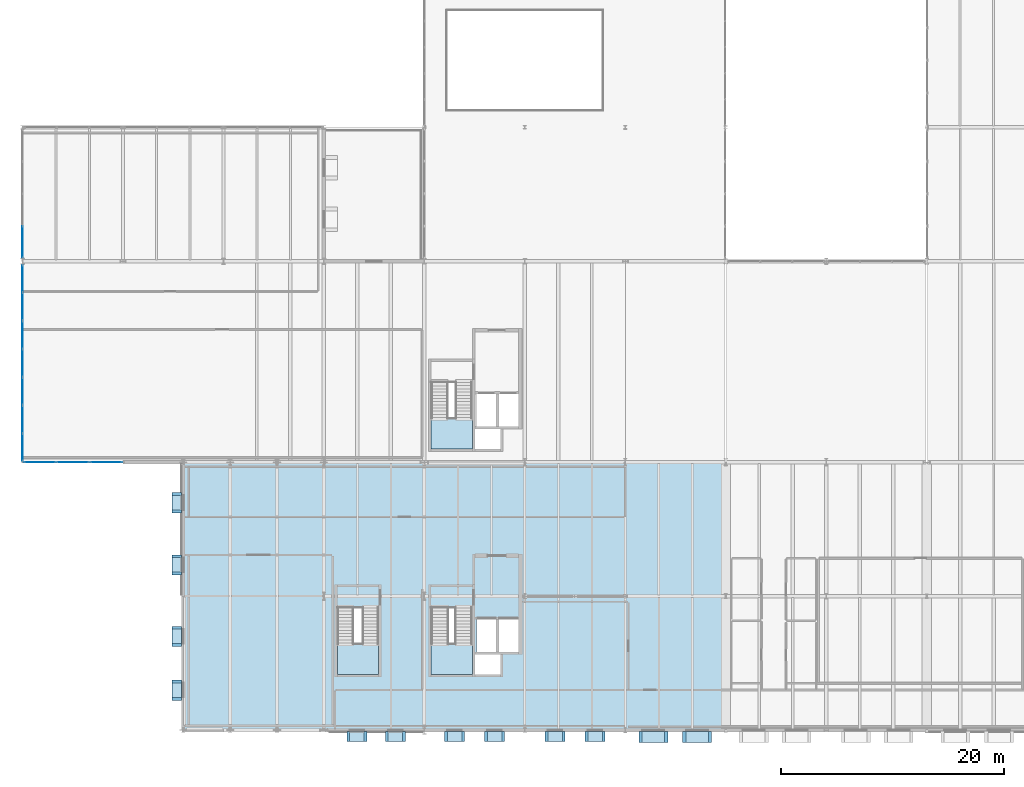
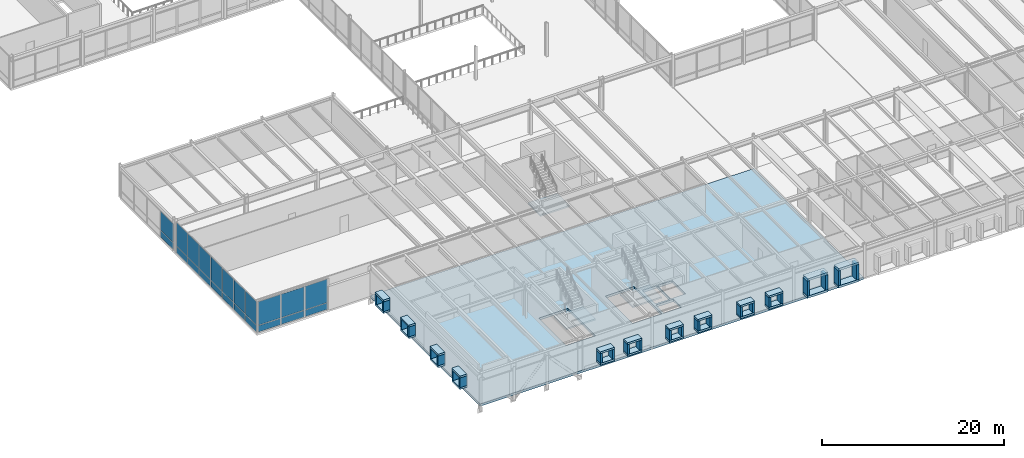
# One storey, part 89 of 115: 70 plates, 4 slabs, 6 elements without a shape of their own.
"""IFC4 building model written with IfcOpenShell, lengths in metres."""

import ifcopenshell
import ifcopenshell.guid

model = None  # the IFC model being written
_history = None  # IfcOwnerHistory: only IFC2X3 demands one
_inside = {}  # id of a spatial element -> (the spatial element, [elements in it])
_under = {}  # id of a project, library or spatial element -> (it, [spatial elements below it])
_declared = {}  # id of a project -> (the project, [libraries it declares])
_typed = {}  # id of a type object -> (the type object, [elements of that type])
_made_of = {}  # id of a material, layer set ... -> (it, [elements and type objects made of it])


def new_model(schema):
    """Start an empty IFC model of exactly this schema.

    Asked for "IFC4X3", IfcOpenShell would pick the latest addendum, in which some entities
    have other attributes; the version numbers below select the first issue.
    IFC2X3 requires an IfcOwnerHistory on every rooted entity: one is made here for all.
    """
    global model, _history
    if schema == "IFC4X3":
        model = ifcopenshell.file(schema_version=(4, 3, 0, 0))
    else:
        model = ifcopenshell.file(schema=schema)
    _inside.clear()
    _under.clear()
    _declared.clear()
    _typed.clear()
    _made_of.clear()
    _history = None
    if model.schema == "IFC2X3":
        org = make("IfcOrganization", Name="unknown")
        user = make(
            "IfcPersonAndOrganization",
            ThePerson=make("IfcPerson", FamilyName="unknown"),
            TheOrganization=org,
        )
        app = make(
            "IfcApplication",
            ApplicationDeveloper=org,
            Version="unknown",
            ApplicationFullName="unknown",
            ApplicationIdentifier="unknown",
        )
        _history = make(
            "IfcOwnerHistory",
            OwningUser=user,
            OwningApplication=app,
            ChangeAction="ADDED",
            CreationDate=0,
        )
    return model


def make(cls, **values):
    """One entity of the class cls with the attributes given. An attribute that is None is left unset."""
    return model.create_entity(
        cls, **{name: value for name, value in values.items() if value is not None}
    )


def rooted(cls, **values):
    """An entity with a GlobalId (a new one), such as an element, a storey or a relation."""
    return make(cls, GlobalId=ifcopenshell.guid.new(), OwnerHistory=_history, **values)


def si_unit(unit_type, name, prefix=None):
    """IfcSIUnit, for example si_unit("LENGTHUNIT", "METRE", prefix="MILLI")."""
    return make("IfcSIUnit", UnitType=unit_type, Prefix=prefix, Name=name)


def assignment(units):
    """IfcUnitAssignment: the units of a project."""
    return None if units is None else make("IfcUnitAssignment", Units=units)


def point(xyz):
    """IfcCartesianPoint."""
    return None if xyz is None else make("IfcCartesianPoint", Coordinates=xyz)


def direction(xyz):
    """IfcDirection."""
    return None if xyz is None else make("IfcDirection", DirectionRatios=xyz)


def frame(location, z_axis=None, x_axis=None):
    """IfcAxis2Placement3D, a coordinate frame: its origin and axes. An axis left out is left unset."""
    return make(
        "IfcAxis2Placement3D",
        Location=point(location),
        Axis=direction(z_axis),
        RefDirection=direction(x_axis),
    )


def frame_2d(location, x_axis=None):
    """IfcAxis2Placement2D, a coordinate frame in the plane: its origin and x axis."""
    return make(
        "IfcAxis2Placement2D", Location=point(location), RefDirection=direction(x_axis)
    )


def origin():
    """The frame at (0, 0, 0) with its axes left unset."""
    return frame((0.0, 0.0, 0.0))


def origin_2d():
    """The frame at (0, 0) in the plane with its x axis left unset."""
    return frame_2d((0.0, 0.0))


def place(relative_to, where):
    """IfcLocalPlacement: puts the frame where relative to a parent placement (None: the world)."""
    return make(
        "IfcLocalPlacement", PlacementRelTo=relative_to, RelativePlacement=where
    )


def context(
    kind, dimensions, precision=None, world=None, true_north=None, identifier=None
):
    """IfcGeometricRepresentationContext, for example the 3D "Model" context."""
    return make(
        "IfcGeometricRepresentationContext",
        ContextIdentifier=identifier,
        ContextType=kind,
        CoordinateSpaceDimension=dimensions,
        Precision=precision,
        WorldCoordinateSystem=world,
        TrueNorth=true_north,
    )


def subcontext(parent, identifier, kind, view, scale=None):
    """IfcGeometricRepresentationSubContext, for example "Body" below "Model"."""
    return make(
        "IfcGeometricRepresentationSubContext",
        ContextIdentifier=identifier,
        ContextType=kind,
        ParentContext=parent,
        TargetScale=scale,
        TargetView=view,
    )


def project(units=None, contexts=None):
    """IfcProject with its units and contexts."""
    return rooted(
        "IfcProject",
        Name="project",
        RepresentationContexts=contexts,
        UnitsInContext=assignment(units),
    )


def spatial(cls, under=None, at=None, **own):
    """A site, building, storey or space (cls), placed at a placement, below another one or the project."""
    s = rooted(cls, ObjectPlacement=at, **own)
    if under is not None:
        _under.setdefault(under.id(), (under, []))[1].append(s)
    return s


def polyline(points):
    """IfcPolyline through the points."""
    return make("IfcPolyline", Points=[point(p) for p in points])


def profile(cls, at=None, kind="AREA", **sizes):
    """A parametric profile (cls). Its sizes go by their IFC names, for example OverallWidth=200.0."""
    return make(cls, ProfileType=kind, Position=at, **sizes)


def rectangle(**sizes):
    """IfcRectangleProfileDef."""
    return profile("IfcRectangleProfileDef", **sizes)


def outline(outer, holes=None, kind="AREA"):
    """IfcArbitraryClosedProfileDef: a profile drawn as a closed curve; with holes, ...WithVoids."""
    if holes is None:
        return make("IfcArbitraryClosedProfileDef", ProfileType=kind, OuterCurve=outer)
    return make(
        "IfcArbitraryProfileDefWithVoids",
        ProfileType=kind,
        OuterCurve=outer,
        InnerCurves=holes,
    )


def extrude(swept, where, along, depth):
    """IfcExtrudedAreaSolid: the profile swept, set in the frame where, extruded along a direction by depth."""
    return make(
        "IfcExtrudedAreaSolid",
        SweptArea=swept,
        Position=where,
        ExtrudedDirection=direction(along),
        Depth=depth,
    )


def shape(context_of_items, identifier, shape_type, items):
    """IfcShapeRepresentation: the items that make up one representation, for example the "Body"."""
    return make(
        "IfcShapeRepresentation",
        ContextOfItems=context_of_items,
        RepresentationIdentifier=identifier,
        RepresentationType=shape_type,
        Items=items,
    )


def material(Name=None, Category=None):
    """IfcMaterial."""
    return make("IfcMaterial", Name=Name, Category=Category)


def layer(
    of_material, thickness, ventilated=None, Name=None, Category=None, Priority=None
):
    """IfcMaterialLayer: one layer of a wall or slab, of a material (None: an air gap)."""
    return make(
        "IfcMaterialLayer",
        Material=of_material,
        LayerThickness=thickness,
        IsVentilated=ventilated,
        Name=Name,
        Category=Category,
        Priority=Priority,
    )


def layer_set(layers, Name=None):
    """IfcMaterialLayerSet."""
    return make("IfcMaterialLayerSet", MaterialLayers=layers, LayerSetName=Name)


def made_of(thing, what):
    """Note that an element or type object is made of a material, layer set ...; save() writes the relation."""
    if what is not None:
        _made_of.setdefault(what.id(), (what, []))[1].append(thing)
    return thing


def type_object(cls, material=None, **own):
    """A type object (cls), such as IfcWallType, which elements share."""
    return made_of(rooted(cls, **own), material)


def element(
    cls,
    number,
    at=None,
    inside=None,
    cuts=None,
    type_object=None,
    material=None,
    context=None,
    identifier="Body",
    shape_type=None,
    held_by="IfcProductDefinitionShape",
    body=None,
    shapes=None,
    **own,
):
    """One element of the class cls, such as IfcWall. Its Tag is "e" and its number.

    at: its placement. inside: the storey or other place that contains it. cuts: it is an
    opening in that element (IfcRelVoidsElement). A single representation is given by context,
    identifier, shape_type and body (its items); several are given by shapes. held_by: the class
    of the entity that holds the representations. save() writes the other relations.
    """
    e = rooted(cls, Tag="e%d" % number, ObjectPlacement=at, **own)
    if body is not None:
        shapes = [shape(context, identifier, shape_type, body)]
    if shapes is not None:
        e.Representation = make(held_by, Representations=shapes)
    if inside is not None:
        _inside.setdefault(inside.id(), (inside, []))[1].append(e)
    if cuts is not None:
        rooted(
            "IfcRelVoidsElement", RelatingBuildingElement=cuts, RelatedOpeningElement=e
        )
    if type_object is not None:
        _typed.setdefault(type_object.id(), (type_object, []))[1].append(e)
    return made_of(e, material)


def aggregate(whole, parts):
    """IfcRelAggregates: a whole, such as a stair, and the parts it consists of."""
    return rooted("IfcRelAggregates", RelatingObject=whole, RelatedObjects=parts)


def save(model, path):
    """Write the relations noted so far, then the file.

    IfcRelAggregates (storeys below a building ...), IfcRelContainedInSpatialStructure (elements
    in a storey), IfcRelDefinesByType, IfcRelAssociatesMaterial and IfcRelDeclares: one each for
    every whole, place, type object, material and project.
    """
    for whole, parts in _under.values():
        aggregate(whole, parts)
    for where, things in _inside.values():
        rooted(
            "IfcRelContainedInSpatialStructure",
            RelatedElements=things,
            RelatingStructure=where,
        )
    for kind, things in _typed.values():
        rooted("IfcRelDefinesByType", RelatedObjects=things, RelatingType=kind)
    for what, things in _made_of.values():
        rooted("IfcRelAssociatesMaterial", RelatedObjects=things, RelatingMaterial=what)
    for by, libraries in _declared.values():
        rooted("IfcRelDeclares", RelatingContext=by, RelatedDefinitions=libraries)
    model.write(path)


model = new_model("IFC4")

# Units and contexts
model_context = context("Model", 3, precision=1e-05, world=origin(), true_north=direction((0.0, 1.0)))
body_context = subcontext(model_context, "Body", "Model", "MODEL_VIEW")
ifc_project = project(units=[si_unit("LENGTHUNIT", "METRE"), si_unit("AREAUNIT", "SQUARE_METRE"), si_unit("VOLUMEUNIT", "CUBIC_METRE"), si_unit("PLANEANGLEUNIT", "RADIAN"), si_unit("MASSUNIT", "GRAM", prefix="KILO")], contexts=[model_context])

# Site, building, storey
site_placement = place(None, origin())
site = spatial("IfcSite", under=ifc_project, at=site_placement, CompositionType="ELEMENT")
building_placement = place(site_placement, origin())
building = spatial("IfcBuilding", under=site, at=building_placement, Name="Montelvaro Courts of Justice", CompositionType="ELEMENT")
storey_placement = place(building_placement, frame((0.0, 0.0, 9.89990234375)))
storey = spatial("IfcBuildingStorey", under=building, at=storey_placement, Name="L02", CompositionType="ELEMENT", Elevation=9.89990234375)

# Curtain wall, plates
ifc_material_1 = material(Name="Anodised aluminium EN AW-6063", Category="aluminium")
ifc_layer_1 = layer(ifc_material_1, 0.159912109375)
ifc_layer_set_1 = layer_set([ifc_layer_1], Name="Anodised aluminium EN AW-6063")
curtain_wall_type_1 = type_object("IfcCurtainWallType", Name="CurtainWall_28_896x418", PredefinedType="USERDEFINED", material=ifc_layer_set_1)
curtain_wall_1_placement = place(storey_placement, origin())
curtain_wall_1 = element("IfcCurtainWall", 1, at=curtain_wall_1_placement, inside=storey, type_object=curtain_wall_type_1, Name="Curtain Wall CW-28 (L02)", ObjectType="CURTAIN WALL", PredefinedType="USERDEFINED")
ifc_material_2 = material(Name="Low-E solar control double glazing", Category="glass")
ifc_layer_2 = layer(ifc_material_2, 0.028076171875)
ifc_layer_set_2 = layer_set([ifc_layer_2], Name="Low-E solar control double glazing")
plate_type_1 = type_object("IfcPlateType", Name="CurtainWall_Glazed_Panel_28", PredefinedType="CURTAIN_PANEL", material=ifc_layer_set_2)
plate_1_placement = place(storey_placement, frame((19.552001953125, 24.0, 0.06005859375), z_axis=(0.0, 0.0, 1.0), x_axis=(1.0, 0.0, 0.0)))
plate_1 = element("IfcPlate", 2, at=plate_1_placement, type_object=plate_type_1, Name="CW-28 panel 1.1", PredefinedType="CURTAIN_PANEL", context=body_context, shape_type="SweptSolid", body=[
    extrude(rectangle(XDim=2.874267578125, YDim=0.028076171875, at=origin_2d()), origin(), (0.0, 0.0, 1.0), 0.860107421875),
])
plate_2_placement = place(storey_placement, frame((19.552001953125, 24.0, 0.97998046875), z_axis=(0.0, 0.0, 1.0), x_axis=(1.0, 0.0, 0.0)))
plate_2 = element("IfcPlate", 3, at=plate_2_placement, type_object=plate_type_1, Name="CW-28 panel 1.2", PredefinedType="CURTAIN_PANEL", context=body_context, shape_type="SweptSolid", body=[
    extrude(rectangle(XDim=2.874267578125, YDim=0.028076171875, at=origin_2d()), origin(), (0.0, 0.0, 1.0), 3.139892578125),
])
plate_3_placement = place(storey_placement, frame((22.52001953125, 24.0, 0.06005859375), z_axis=(0.0, 0.0, 1.0), x_axis=(1.0, 0.0, 0.0)))
plate_3 = element("IfcPlate", 4, at=plate_3_placement, type_object=plate_type_1, Name="CW-28 panel 2.1", PredefinedType="CURTAIN_PANEL", context=body_context, shape_type="SweptSolid", body=[
    extrude(rectangle(XDim=2.91162109375, YDim=0.028076171875, at=origin_2d()), origin(), (0.0, 0.0, 1.0), 0.860107421875),
])
plate_4_placement = place(storey_placement, frame((22.52001953125, 24.0, 0.97998046875), z_axis=(0.0, 0.0, 1.0), x_axis=(1.0, 0.0, 0.0)))
plate_4 = element("IfcPlate", 5, at=plate_4_placement, type_object=plate_type_1, Name="CW-28 panel 2.2", PredefinedType="CURTAIN_PANEL", context=body_context, shape_type="SweptSolid", body=[
    extrude(rectangle(XDim=2.91162109375, YDim=0.028076171875, at=origin_2d()), origin(), (0.0, 0.0, 1.0), 3.139892578125),
])
plate_5_placement = place(storey_placement, frame((25.488037109375, 24.0, 0.06005859375), z_axis=(0.0, 0.0, 1.0), x_axis=(1.0, 0.0, 0.0)))
plate_5 = element("IfcPlate", 6, at=plate_5_placement, type_object=plate_type_1, Name="CW-28 panel 3.1", PredefinedType="CURTAIN_PANEL", context=body_context, shape_type="SweptSolid", body=[
    extrude(rectangle(XDim=2.874267578125, YDim=0.028076171875, at=origin_2d()), origin(), (0.0, 0.0, 1.0), 0.860107421875),
])
plate_6_placement = place(storey_placement, frame((25.488037109375, 24.0, 0.97998046875), z_axis=(0.0, 0.0, 1.0), x_axis=(1.0, 0.0, 0.0)))
plate_6 = element("IfcPlate", 7, at=plate_6_placement, type_object=plate_type_1, Name="CW-28 panel 3.2", PredefinedType="CURTAIN_PANEL", context=body_context, shape_type="SweptSolid", body=[
    extrude(rectangle(XDim=2.874267578125, YDim=0.028076171875, at=origin_2d()), origin(), (0.0, 0.0, 1.0), 3.139892578125),
])
aggregate(curtain_wall_1, [plate_1, plate_2, plate_3, plate_4, plate_5, plate_6])

ifc_layer_3 = layer(ifc_material_1, 0.159912109375)
ifc_layer_set_3 = layer_set([ifc_layer_3], Name="Anodised aluminium EN AW-6063")
curtain_wall_type_2 = type_object("IfcCurtainWallType", Name="CurtainWall_23_1154x418", PredefinedType="USERDEFINED", material=ifc_layer_set_3)
curtain_wall_2_placement = place(storey_placement, origin())
curtain_wall_2 = element("IfcCurtainWall", 8, at=curtain_wall_2_placement, inside=storey, type_object=curtain_wall_type_2, Name="Curtain Wall CW-23 (L02)", ObjectType="CURTAIN WALL", PredefinedType="USERDEFINED")
plate_7_placement = place(storey_placement, frame((18.0, 43.7275390625, 0.06005859375), z_axis=(0.0, 0.0, 1.0), x_axis=(0.0, -1.0, 0.0)))
plate_7 = element("IfcPlate", 9, at=plate_7_placement, type_object=plate_type_1, Name="CW-23 panel 4.1", PredefinedType="CURTAIN_PANEL", context=body_context, shape_type="SweptSolid", body=[
    extrude(rectangle(XDim=2.794921875, YDim=0.028076171875, at=origin_2d()), origin(), (0.0, 0.0, 1.0), 0.860107421875),
])
plate_8_placement = place(storey_placement, frame((18.0, 43.7275390625, 0.97998046875), z_axis=(0.0, 0.0, 1.0), x_axis=(0.0, -1.0, 0.0)))
plate_8 = element("IfcPlate", 10, at=plate_8_placement, type_object=plate_type_1, Name="CW-23 panel 4.2", PredefinedType="CURTAIN_PANEL", context=body_context, shape_type="SweptSolid", body=[
    extrude(rectangle(XDim=2.794921875, YDim=0.028076171875, at=origin_2d()), origin(), (0.0, 0.0, 1.0), 2.514892578125),
])
aggregate(curtain_wall_2, [plate_7, plate_8])

ifc_layer_4 = layer(ifc_material_1, 0.159912109375)
ifc_layer_set_4 = layer_set([ifc_layer_4], Name="Anodised aluminium EN AW-6063")
curtain_wall_type_3 = type_object("IfcCurtainWallType", Name="CurtainWall_29_1770x418", PredefinedType="USERDEFINED", material=ifc_layer_set_4)
curtain_wall_3_placement = place(storey_placement, origin())
curtain_wall_3 = element("IfcCurtainWall", 11, at=curtain_wall_3_placement, inside=storey, type_object=curtain_wall_type_3, Name="Curtain Wall CW-29 (L02)", ObjectType="CURTAIN WALL", PredefinedType="USERDEFINED")
plate_9_placement = place(storey_placement, frame((18.0, 40.452392578125, 0.06005859375), z_axis=(0.0, 0.0, 1.0), x_axis=(0.0, -1.0, 0.0)))
plate_9 = element("IfcPlate", 12, at=plate_9_placement, type_object=plate_type_1, Name="CW-29 panel 1.1", PredefinedType="CURTAIN_PANEL", context=body_context, shape_type="SweptSolid", body=[
    extrude(rectangle(XDim=2.415283203125, YDim=0.028076171875, at=origin_2d()), origin(), (0.0, 0.0, 1.0), 0.860107421875),
])
plate_10_placement = place(storey_placement, frame((18.0, 40.452392578125, 0.97998046875), z_axis=(0.0, 0.0, 1.0), x_axis=(0.0, -1.0, 0.0)))
plate_10 = element("IfcPlate", 13, at=plate_10_placement, type_object=plate_type_1, Name="CW-29 panel 1.2", PredefinedType="CURTAIN_PANEL", context=body_context, shape_type="SweptSolid", body=[
    extrude(rectangle(XDim=2.415283203125, YDim=0.028076171875, at=origin_2d()), origin(), (0.0, 0.0, 1.0), 3.139892578125),
])
plate_11_placement = place(storey_placement, frame((18.0, 37.943115234375, 0.06005859375), z_axis=(0.0, 0.0, 1.0), x_axis=(0.0, -1.0, 0.0)))
plate_11 = element("IfcPlate", 14, at=plate_11_placement, type_object=plate_type_1, Name="CW-29 panel 2.1", PredefinedType="CURTAIN_PANEL", context=body_context, shape_type="SweptSolid", body=[
    extrude(rectangle(XDim=2.452880859375, YDim=0.028076171875, at=origin_2d()), origin(), (0.0, 0.0, 1.0), 0.860107421875),
])
plate_12_placement = place(storey_placement, frame((18.0, 37.943115234375, 0.97998046875), z_axis=(0.0, 0.0, 1.0), x_axis=(0.0, -1.0, 0.0)))
plate_12 = element("IfcPlate", 15, at=plate_12_placement, type_object=plate_type_1, Name="CW-29 panel 2.2", PredefinedType="CURTAIN_PANEL", context=body_context, shape_type="SweptSolid", body=[
    extrude(rectangle(XDim=2.452880859375, YDim=0.028076171875, at=origin_2d()), origin(), (0.0, 0.0, 1.0), 3.139892578125),
])
plate_13_placement = place(storey_placement, frame((18.0, 35.415283203125, 0.06005859375), z_axis=(0.0, 0.0, 1.0), x_axis=(0.0, -1.0, 0.0)))
plate_13 = element("IfcPlate", 16, at=plate_13_placement, type_object=plate_type_1, Name="CW-29 panel 3.1", PredefinedType="CURTAIN_PANEL", context=body_context, shape_type="SweptSolid", body=[
    extrude(rectangle(XDim=2.452880859375, YDim=0.028076171875, at=origin_2d()), origin(), (0.0, 0.0, 1.0), 0.860107421875),
])
plate_14_placement = place(storey_placement, frame((18.0, 35.415283203125, 0.97998046875), z_axis=(0.0, 0.0, 1.0), x_axis=(0.0, -1.0, 0.0)))
plate_14 = element("IfcPlate", 17, at=plate_14_placement, type_object=plate_type_1, Name="CW-29 panel 3.2", PredefinedType="CURTAIN_PANEL", context=body_context, shape_type="SweptSolid", body=[
    extrude(rectangle(XDim=2.452880859375, YDim=0.028076171875, at=origin_2d()), origin(), (0.0, 0.0, 1.0), 3.139892578125),
])
plate_15_placement = place(storey_placement, frame((18.0, 32.887451171875, 0.06005859375), z_axis=(0.0, 0.0, 1.0), x_axis=(0.0, -1.0, 0.0)))
plate_15 = element("IfcPlate", 18, at=plate_15_placement, type_object=plate_type_1, Name="CW-29 panel 4.1", PredefinedType="CURTAIN_PANEL", context=body_context, shape_type="SweptSolid", body=[
    extrude(rectangle(XDim=2.452880859375, YDim=0.028076171875, at=origin_2d()), origin(), (0.0, 0.0, 1.0), 0.860107421875),
])
plate_16_placement = place(storey_placement, frame((18.0, 32.887451171875, 0.97998046875), z_axis=(0.0, 0.0, 1.0), x_axis=(0.0, -1.0, 0.0)))
plate_16 = element("IfcPlate", 19, at=plate_16_placement, type_object=plate_type_1, Name="CW-29 panel 4.2", PredefinedType="CURTAIN_PANEL", context=body_context, shape_type="SweptSolid", body=[
    extrude(rectangle(XDim=2.452880859375, YDim=0.028076171875, at=origin_2d()), origin(), (0.0, 0.0, 1.0), 3.139892578125),
])
plate_17_placement = place(storey_placement, frame((18.0, 30.359619140625, 0.06005859375), z_axis=(0.0, 0.0, 1.0), x_axis=(0.0, -1.0, 0.0)))
plate_17 = element("IfcPlate", 20, at=plate_17_placement, type_object=plate_type_1, Name="CW-29 panel 5.1", PredefinedType="CURTAIN_PANEL", context=body_context, shape_type="SweptSolid", body=[
    extrude(rectangle(XDim=2.452880859375, YDim=0.028076171875, at=origin_2d()), origin(), (0.0, 0.0, 1.0), 0.860107421875),
])
plate_18_placement = place(storey_placement, frame((18.0, 30.359619140625, 0.97998046875), z_axis=(0.0, 0.0, 1.0), x_axis=(0.0, -1.0, 0.0)))
plate_18 = element("IfcPlate", 21, at=plate_18_placement, type_object=plate_type_1, Name="CW-29 panel 5.2", PredefinedType="CURTAIN_PANEL", context=body_context, shape_type="SweptSolid", body=[
    extrude(rectangle(XDim=2.452880859375, YDim=0.028076171875, at=origin_2d()), origin(), (0.0, 0.0, 1.0), 3.139892578125),
])
plate_19_placement = place(storey_placement, frame((18.0, 27.831787109375, 0.06005859375), z_axis=(0.0, 0.0, 1.0), x_axis=(0.0, -1.0, 0.0)))
plate_19 = element("IfcPlate", 22, at=plate_19_placement, type_object=plate_type_1, Name="CW-29 panel 6.1", PredefinedType="CURTAIN_PANEL", context=body_context, shape_type="SweptSolid", body=[
    extrude(rectangle(XDim=2.452880859375, YDim=0.028076171875, at=origin_2d()), origin(), (0.0, 0.0, 1.0), 0.860107421875),
])
plate_20_placement = place(storey_placement, frame((18.0, 27.831787109375, 0.97998046875), z_axis=(0.0, 0.0, 1.0), x_axis=(0.0, -1.0, 0.0)))
plate_20 = element("IfcPlate", 23, at=plate_20_placement, type_object=plate_type_1, Name="CW-29 panel 6.2", PredefinedType="CURTAIN_PANEL", context=body_context, shape_type="SweptSolid", body=[
    extrude(rectangle(XDim=2.452880859375, YDim=0.028076171875, at=origin_2d()), origin(), (0.0, 0.0, 1.0), 3.139892578125),
])
plate_21_placement = place(storey_placement, frame((18.0, 25.32275390625, 0.06005859375), z_axis=(0.0, 0.0, 1.0), x_axis=(0.0, -1.0, 0.0)))
plate_21 = element("IfcPlate", 24, at=plate_21_placement, type_object=plate_type_1, Name="CW-29 panel 7.1", PredefinedType="CURTAIN_PANEL", context=body_context, shape_type="SweptSolid", body=[
    extrude(rectangle(XDim=2.415283203125, YDim=0.028076171875, at=origin_2d()), origin(), (0.0, 0.0, 1.0), 0.860107421875),
])
plate_22_placement = place(storey_placement, frame((18.0, 25.32275390625, 0.97998046875), z_axis=(0.0, 0.0, 1.0), x_axis=(0.0, -1.0, 0.0)))
plate_22 = element("IfcPlate", 25, at=plate_22_placement, type_object=plate_type_1, Name="CW-29 panel 7.2", PredefinedType="CURTAIN_PANEL", context=body_context, shape_type="SweptSolid", body=[
    extrude(rectangle(XDim=2.415283203125, YDim=0.028076171875, at=origin_2d()), origin(), (0.0, 0.0, 1.0), 3.139892578125),
])
aggregate(curtain_wall_3, [plate_9, plate_10, plate_11, plate_12, plate_13, plate_14, plate_15, plate_16, plate_17, plate_18, plate_19, plate_20, plate_21, plate_22])

# Slab
ifc_material_3 = material(Name="Concrete C35/45", Category="concrete")
ifc_layer_5 = layer(ifc_material_3, 0.320068359375)
ifc_layer_set_5 = layer_set([ifc_layer_5], Name="Concrete C35/45")
slab_type_1 = type_object("IfcSlabType", Name="FloorSlab_V5_320", PredefinedType="FLOOR", material=ifc_layer_set_5)
slab_1_placement = place(storey_placement, frame((0.0, 0.0, -0.31982421875)))
element("IfcSlab", 26, at=slab_1_placement, inside=storey, type_object=slab_type_1, Name="Structural Slab SF-05 L02", PredefinedType="FLOOR", context=body_context, shape_type="SweptSolid", body=[
    extrude(outline(polyline([(32.39990234375, 0.0), (80.949951171875, 0.0), (80.949951171875, 24.0), (32.39990234375, 24.0), (32.39990234375, 0.0)]), holes=[polyline([(54.60009765625, 5.0), (58.300048828125, 5.0), (58.300048828125, 11.0), (54.60009765625, 11.0), (54.60009765625, 5.0)]), polyline([(58.5400390625, 5.0), (60.800048828125, 5.0), (60.800048828125, 6.760009765625), (58.5400390625, 6.760009765625), (58.5400390625, 5.0)]), polyline([(58.64990234375, 7.0), (60.5, 7.0), (60.5, 9.89990234375), (58.64990234375, 9.89990234375), (58.64990234375, 7.0)]), polyline([(60.60009765625, 7.0), (62.449951171875, 7.0), (62.449951171875, 9.89990234375), (60.60009765625, 9.89990234375), (60.60009765625, 7.0)]), polyline([(46.199951171875, 5.0), (49.89990234375, 5.0), (49.89990234375, 11.0), (46.199951171875, 11.0), (46.199951171875, 5.0)])]), origin(), (0.0, 0.0, 1.0), 0.31982421875),
])

# Plates
ifc_material_4 = material(Name="White mineral precast concrete C45/55", Category="concrete")
ifc_layer_6 = layer(ifc_material_4, 0.25)
ifc_layer_set_6 = layer_set([ifc_layer_6], Name="White mineral precast concrete C45/55")
plate_type_2 = type_object("IfcPlateType", Name="PrecastSquareFrame_250x850", PredefinedType="SHEET", material=ifc_layer_set_6)
for number, where, z_axis, x_axis, name in (
    (27, (47.947021484375, -0.570068359375, 2.2001953125), (0.0, 0.0, 1.0), (1.0, 0.0, 0.0), "Graduated Square Window Frame PF-03 W-L02-109 TOP"),
    (28, (47.947021484375, -0.570068359375, 0.650146484375), (0.0, 0.0, 1.0), (1.0, 0.0, 0.0), "Graduated Square Window Frame PF-03 W-L02-109 BOT"),
):
    element("IfcPlate", number, at=place(storey_placement, frame(where, z_axis=z_axis, x_axis=x_axis)), inside=storey, type_object=plate_type_2, Name=name, PredefinedType="SHEET", context=body_context, shape_type="SweptSolid", body=[
        extrude(rectangle(XDim=1.800048828125, YDim=0.860107421875, at=origin_2d()), origin(), (0.0, 0.0, 1.0), 0.25),
    ])
for number, where, z_axis, x_axis, name in (
    (29, (47.172119140625, -0.570068359375, 0.89990234375), (0.0, 0.0, 1.0), (1.0, 0.0, 0.0), "Graduated Square Window Frame PF-03 W-L02-109 L"),
    (30, (48.721923828125, -0.570068359375, 0.89990234375), (0.0, 0.0, 1.0), (1.0, 0.0, 0.0), "Graduated Square Window Frame PF-03 W-L02-109 R"),
):
    element("IfcPlate", number, at=place(storey_placement, frame(where, z_axis=z_axis, x_axis=x_axis)), inside=storey, type_object=plate_type_2, Name=name, PredefinedType="SHEET", context=body_context, shape_type="SweptSolid", body=[
        extrude(rectangle(XDim=0.25, YDim=0.860107421875, at=origin_2d()), origin(), (0.0, 0.0, 1.0), 1.300048828125),
    ])
for number, where, z_axis, x_axis, name in (
    (31, (51.40087890625, -0.570068359375, 2.2001953125), (0.0, 0.0, 1.0), (1.0, 0.0, 0.0), "Graduated Square Window Frame PF-03 W-L02-110 TOP"),
    (32, (51.40087890625, -0.570068359375, 0.650146484375), (0.0, 0.0, 1.0), (1.0, 0.0, 0.0), "Graduated Square Window Frame PF-03 W-L02-110 BOT"),
):
    element("IfcPlate", number, at=place(storey_placement, frame(where, z_axis=z_axis, x_axis=x_axis)), inside=storey, type_object=plate_type_2, Name=name, PredefinedType="SHEET", context=body_context, shape_type="SweptSolid", body=[
        extrude(rectangle(XDim=1.800048828125, YDim=0.860107421875, at=origin_2d()), origin(), (0.0, 0.0, 1.0), 0.25),
    ])
for number, where, z_axis, x_axis, name in (
    (33, (50.6259765625, -0.570068359375, 0.89990234375), (0.0, 0.0, 1.0), (1.0, 0.0, 0.0), "Graduated Square Window Frame PF-03 W-L02-110 L"),
    (34, (52.176025390625, -0.570068359375, 0.89990234375), (0.0, 0.0, 1.0), (1.0, 0.0, 0.0), "Graduated Square Window Frame PF-03 W-L02-110 R"),
):
    element("IfcPlate", number, at=place(storey_placement, frame(where, z_axis=z_axis, x_axis=x_axis)), inside=storey, type_object=plate_type_2, Name=name, PredefinedType="SHEET", context=body_context, shape_type="SweptSolid", body=[
        extrude(rectangle(XDim=0.25, YDim=0.860107421875, at=origin_2d()), origin(), (0.0, 0.0, 1.0), 1.300048828125),
    ])
for number, where, z_axis, x_axis, name in (
    (35, (56.702880859375, -0.570068359375, 2.2001953125), (0.0, 0.0, 1.0), (1.0, 0.0, 0.0), "Graduated Square Window Frame PF-03 W-L02-111 TOP"),
    (36, (56.702880859375, -0.570068359375, 0.650146484375), (0.0, 0.0, 1.0), (1.0, 0.0, 0.0), "Graduated Square Window Frame PF-03 W-L02-111 BOT"),
):
    element("IfcPlate", number, at=place(storey_placement, frame(where, z_axis=z_axis, x_axis=x_axis)), inside=storey, type_object=plate_type_2, Name=name, PredefinedType="SHEET", context=body_context, shape_type="SweptSolid", body=[
        extrude(rectangle(XDim=1.800048828125, YDim=0.860107421875, at=origin_2d()), origin(), (0.0, 0.0, 1.0), 0.25),
    ])
for number, where, z_axis, x_axis, name in (
    (37, (55.927978515625, -0.570068359375, 0.89990234375), (0.0, 0.0, 1.0), (1.0, 0.0, 0.0), "Graduated Square Window Frame PF-03 W-L02-111 L"),
    (38, (57.47802734375, -0.570068359375, 0.89990234375), (0.0, 0.0, 1.0), (1.0, 0.0, 0.0), "Graduated Square Window Frame PF-03 W-L02-111 R"),
):
    element("IfcPlate", number, at=place(storey_placement, frame(where, z_axis=z_axis, x_axis=x_axis)), inside=storey, type_object=plate_type_2, Name=name, PredefinedType="SHEET", context=body_context, shape_type="SweptSolid", body=[
        extrude(rectangle(XDim=0.25, YDim=0.860107421875, at=origin_2d()), origin(), (0.0, 0.0, 1.0), 1.300048828125),
    ])
for number, where, z_axis, x_axis, name in (
    (39, (60.297119140625, -0.570068359375, 2.2001953125), (0.0, 0.0, 1.0), (1.0, 0.0, 0.0), "Graduated Square Window Frame PF-03 W-L02-112 TOP"),
    (40, (60.297119140625, -0.570068359375, 0.650146484375), (0.0, 0.0, 1.0), (1.0, 0.0, 0.0), "Graduated Square Window Frame PF-03 W-L02-112 BOT"),
):
    element("IfcPlate", number, at=place(storey_placement, frame(where, z_axis=z_axis, x_axis=x_axis)), inside=storey, type_object=plate_type_2, Name=name, PredefinedType="SHEET", context=body_context, shape_type="SweptSolid", body=[
        extrude(rectangle(XDim=1.800048828125, YDim=0.860107421875, at=origin_2d()), origin(), (0.0, 0.0, 1.0), 0.25),
    ])
for number, where, z_axis, x_axis, name in (
    (41, (59.52197265625, -0.570068359375, 0.89990234375), (0.0, 0.0, 1.0), (1.0, 0.0, 0.0), "Graduated Square Window Frame PF-03 W-L02-112 L"),
    (42, (61.072021484375, -0.570068359375, 0.89990234375), (0.0, 0.0, 1.0), (1.0, 0.0, 0.0), "Graduated Square Window Frame PF-03 W-L02-112 R"),
):
    element("IfcPlate", number, at=place(storey_placement, frame(where, z_axis=z_axis, x_axis=x_axis)), inside=storey, type_object=plate_type_2, Name=name, PredefinedType="SHEET", context=body_context, shape_type="SweptSolid", body=[
        extrude(rectangle(XDim=0.25, YDim=0.860107421875, at=origin_2d()), origin(), (0.0, 0.0, 1.0), 1.300048828125),
    ])
for number, where, z_axis, x_axis, name in (
    (43, (65.702880859375, -0.570068359375, 2.2001953125), (0.0, 0.0, 1.0), (1.0, 0.0, 0.0), "Graduated Square Window Frame PF-03 W-L02-113 TOP"),
    (44, (65.702880859375, -0.570068359375, 0.650146484375), (0.0, 0.0, 1.0), (1.0, 0.0, 0.0), "Graduated Square Window Frame PF-03 W-L02-113 BOT"),
):
    element("IfcPlate", number, at=place(storey_placement, frame(where, z_axis=z_axis, x_axis=x_axis)), inside=storey, type_object=plate_type_2, Name=name, PredefinedType="SHEET", context=body_context, shape_type="SweptSolid", body=[
        extrude(rectangle(XDim=1.800048828125, YDim=0.860107421875, at=origin_2d()), origin(), (0.0, 0.0, 1.0), 0.25),
    ])
for number, where, z_axis, x_axis, name in (
    (45, (64.927978515625, -0.570068359375, 0.89990234375), (0.0, 0.0, 1.0), (1.0, 0.0, 0.0), "Graduated Square Window Frame PF-03 W-L02-113 L"),
    (46, (66.47802734375, -0.570068359375, 0.89990234375), (0.0, 0.0, 1.0), (1.0, 0.0, 0.0), "Graduated Square Window Frame PF-03 W-L02-113 R"),
):
    element("IfcPlate", number, at=place(storey_placement, frame(where, z_axis=z_axis, x_axis=x_axis)), inside=storey, type_object=plate_type_2, Name=name, PredefinedType="SHEET", context=body_context, shape_type="SweptSolid", body=[
        extrude(rectangle(XDim=0.25, YDim=0.860107421875, at=origin_2d()), origin(), (0.0, 0.0, 1.0), 1.300048828125),
    ])
for number, where, z_axis, x_axis, name in (
    (47, (69.297119140625, -0.570068359375, 2.2001953125), (0.0, 0.0, 1.0), (1.0, 0.0, 0.0), "Graduated Square Window Frame PF-03 W-L02-114 TOP"),
    (48, (69.297119140625, -0.570068359375, 0.650146484375), (0.0, 0.0, 1.0), (1.0, 0.0, 0.0), "Graduated Square Window Frame PF-03 W-L02-114 BOT"),
):
    element("IfcPlate", number, at=place(storey_placement, frame(where, z_axis=z_axis, x_axis=x_axis)), inside=storey, type_object=plate_type_2, Name=name, PredefinedType="SHEET", context=body_context, shape_type="SweptSolid", body=[
        extrude(rectangle(XDim=1.800048828125, YDim=0.860107421875, at=origin_2d()), origin(), (0.0, 0.0, 1.0), 0.25),
    ])
for number, where, z_axis, x_axis, name in (
    (49, (68.52197265625, -0.570068359375, 0.89990234375), (0.0, 0.0, 1.0), (1.0, 0.0, 0.0), "Graduated Square Window Frame PF-03 W-L02-114 L"),
    (50, (70.072021484375, -0.570068359375, 0.89990234375), (0.0, 0.0, 1.0), (1.0, 0.0, 0.0), "Graduated Square Window Frame PF-03 W-L02-114 R"),
):
    element("IfcPlate", number, at=place(storey_placement, frame(where, z_axis=z_axis, x_axis=x_axis)), inside=storey, type_object=plate_type_2, Name=name, PredefinedType="SHEET", context=body_context, shape_type="SweptSolid", body=[
        extrude(rectangle(XDim=0.25, YDim=0.860107421875, at=origin_2d()), origin(), (0.0, 0.0, 1.0), 1.300048828125),
    ])
for number, where, z_axis, x_axis, name in (
    (51, (31.830078125, 20.368896484375, 2.2001953125), (0.0, 0.0, 1.0), (0.0, -1.0, 0.0), "Graduated Square Window Frame PF-03 W-L02-117 TOP"),
    (52, (31.830078125, 20.368896484375, 0.650146484375), (0.0, 0.0, 1.0), (0.0, -1.0, 0.0), "Graduated Square Window Frame PF-03 W-L02-117 BOT"),
):
    element("IfcPlate", number, at=place(storey_placement, frame(where, z_axis=z_axis, x_axis=x_axis)), inside=storey, type_object=plate_type_2, Name=name, PredefinedType="SHEET", context=body_context, shape_type="SweptSolid", body=[
        extrude(rectangle(XDim=1.800048828125, YDim=0.860107421875, at=origin_2d()), origin(), (0.0, 0.0, 1.0), 0.25),
    ])
for number, where, z_axis, x_axis, name in (
    (53, (31.830078125, 21.14404296875, 0.89990234375), (0.0, 0.0, 1.0), (0.0, -1.0, 0.0), "Graduated Square Window Frame PF-03 W-L02-117 L"),
    (54, (31.830078125, 19.593994140625, 0.89990234375), (0.0, 0.0, 1.0), (0.0, -1.0, 0.0), "Graduated Square Window Frame PF-03 W-L02-117 R"),
):
    element("IfcPlate", number, at=place(storey_placement, frame(where, z_axis=z_axis, x_axis=x_axis)), inside=storey, type_object=plate_type_2, Name=name, PredefinedType="SHEET", context=body_context, shape_type="SweptSolid", body=[
        extrude(rectangle(XDim=0.25, YDim=0.860107421875, at=origin_2d()), origin(), (0.0, 0.0, 1.0), 1.300048828125),
    ])
for number, where, z_axis, x_axis, name in (
    (55, (31.830078125, 14.81005859375, 2.2001953125), (0.0, 0.0, 1.0), (0.0, -1.0, 0.0), "Graduated Square Window Frame PF-03 W-L02-118 TOP"),
    (56, (31.830078125, 14.81005859375, 0.650146484375), (0.0, 0.0, 1.0), (0.0, -1.0, 0.0), "Graduated Square Window Frame PF-03 W-L02-118 BOT"),
):
    element("IfcPlate", number, at=place(storey_placement, frame(where, z_axis=z_axis, x_axis=x_axis)), inside=storey, type_object=plate_type_2, Name=name, PredefinedType="SHEET", context=body_context, shape_type="SweptSolid", body=[
        extrude(rectangle(XDim=1.800048828125, YDim=0.860107421875, at=origin_2d()), origin(), (0.0, 0.0, 1.0), 0.25),
    ])
for number, where, z_axis, x_axis, name in (
    (57, (31.830078125, 15.5849609375, 0.89990234375), (0.0, 0.0, 1.0), (0.0, -1.0, 0.0), "Graduated Square Window Frame PF-03 W-L02-118 L"),
    (58, (31.830078125, 14.034912109375, 0.89990234375), (0.0, 0.0, 1.0), (0.0, -1.0, 0.0), "Graduated Square Window Frame PF-03 W-L02-118 R"),
):
    element("IfcPlate", number, at=place(storey_placement, frame(where, z_axis=z_axis, x_axis=x_axis)), inside=storey, type_object=plate_type_2, Name=name, PredefinedType="SHEET", context=body_context, shape_type="SweptSolid", body=[
        extrude(rectangle(XDim=0.25, YDim=0.860107421875, at=origin_2d()), origin(), (0.0, 0.0, 1.0), 1.300048828125),
    ])
for number, where, z_axis, x_axis, name in (
    (59, (31.830078125, 8.39501953125, 2.2001953125), (0.0, 0.0, 1.0), (0.0, -1.0, 0.0), "Graduated Square Window Frame PF-03 W-L02-119 TOP"),
    (60, (31.830078125, 8.39501953125, 0.650146484375), (0.0, 0.0, 1.0), (0.0, -1.0, 0.0), "Graduated Square Window Frame PF-03 W-L02-119 BOT"),
):
    element("IfcPlate", number, at=place(storey_placement, frame(where, z_axis=z_axis, x_axis=x_axis)), inside=storey, type_object=plate_type_2, Name=name, PredefinedType="SHEET", context=body_context, shape_type="SweptSolid", body=[
        extrude(rectangle(XDim=1.800048828125, YDim=0.860107421875, at=origin_2d()), origin(), (0.0, 0.0, 1.0), 0.25),
    ])
for number, where, z_axis, x_axis, name in (
    (61, (31.830078125, 9.169921875, 0.89990234375), (0.0, 0.0, 1.0), (0.0, -1.0, 0.0), "Graduated Square Window Frame PF-03 W-L02-119 L"),
    (62, (31.830078125, 7.6201171875, 0.89990234375), (0.0, 0.0, 1.0), (0.0, -1.0, 0.0), "Graduated Square Window Frame PF-03 W-L02-119 R"),
):
    element("IfcPlate", number, at=place(storey_placement, frame(where, z_axis=z_axis, x_axis=x_axis)), inside=storey, type_object=plate_type_2, Name=name, PredefinedType="SHEET", context=body_context, shape_type="SweptSolid", body=[
        extrude(rectangle(XDim=0.25, YDim=0.860107421875, at=origin_2d()), origin(), (0.0, 0.0, 1.0), 1.300048828125),
    ])
for number, where, z_axis, x_axis, name in (
    (63, (31.830078125, 3.574951171875, 2.2001953125), (0.0, 0.0, 1.0), (0.0, -1.0, 0.0), "Graduated Square Window Frame PF-03 W-L02-120 TOP"),
    (64, (31.830078125, 3.574951171875, 0.650146484375), (0.0, 0.0, 1.0), (0.0, -1.0, 0.0), "Graduated Square Window Frame PF-03 W-L02-120 BOT"),
):
    element("IfcPlate", number, at=place(storey_placement, frame(where, z_axis=z_axis, x_axis=x_axis)), inside=storey, type_object=plate_type_2, Name=name, PredefinedType="SHEET", context=body_context, shape_type="SweptSolid", body=[
        extrude(rectangle(XDim=1.800048828125, YDim=0.860107421875, at=origin_2d()), origin(), (0.0, 0.0, 1.0), 0.25),
    ])
for number, where, z_axis, x_axis, name in (
    (65, (31.830078125, 4.35009765625, 0.89990234375), (0.0, 0.0, 1.0), (0.0, -1.0, 0.0), "Graduated Square Window Frame PF-03 W-L02-120 L"),
    (66, (31.830078125, 2.800048828125, 0.89990234375), (0.0, 0.0, 1.0), (0.0, -1.0, 0.0), "Graduated Square Window Frame PF-03 W-L02-120 R"),
):
    element("IfcPlate", number, at=place(storey_placement, frame(where, z_axis=z_axis, x_axis=x_axis)), inside=storey, type_object=plate_type_2, Name=name, PredefinedType="SHEET", context=body_context, shape_type="SweptSolid", body=[
        extrude(rectangle(XDim=0.25, YDim=0.860107421875, at=origin_2d()), origin(), (0.0, 0.0, 1.0), 1.300048828125),
    ])
ifc_layer_7 = layer(ifc_material_4, 0.300048828125)
ifc_layer_set_7 = layer_set([ifc_layer_7], Name="White mineral precast concrete C45/55")
plate_type_3 = type_object("IfcPlateType", Name="PrecastSquareFrame_300x950", PredefinedType="SHEET", material=ifc_layer_set_7)
for number, where, z_axis, x_axis, name in (
    (67, (74.510009765625, -0.6201171875, 2.80029296875), (0.0, 0.0, 1.0), (1.0, 0.0, 0.0), "Graduated Square Window Frame PF-02 W-L02-115 TOP"),
    (68, (74.510009765625, -0.6201171875, 0.5), (0.0, 0.0, 1.0), (1.0, 0.0, 0.0), "Graduated Square Window Frame PF-02 W-L02-115 BOT"),
):
    element("IfcPlate", number, at=place(storey_placement, frame(where, z_axis=z_axis, x_axis=x_axis)), inside=storey, type_object=plate_type_3, Name=name, PredefinedType="SHEET", context=body_context, shape_type="SweptSolid", body=[
        extrude(rectangle(XDim=2.60009765625, YDim=0.9599609375, at=origin_2d()), origin(), (0.0, 0.0, 1.0), 0.300048828125),
    ])
for number, where, z_axis, x_axis, name in (
    (69, (73.360107421875, -0.6201171875, 0.800048828125), (0.0, 0.0, 1.0), (1.0, 0.0, 0.0), "Graduated Square Window Frame PF-02 W-L02-115 L"),
    (70, (75.659912109375, -0.6201171875, 0.800048828125), (0.0, 0.0, 1.0), (1.0, 0.0, 0.0), "Graduated Square Window Frame PF-02 W-L02-115 R"),
):
    element("IfcPlate", number, at=place(storey_placement, frame(where, z_axis=z_axis, x_axis=x_axis)), inside=storey, type_object=plate_type_3, Name=name, PredefinedType="SHEET", context=body_context, shape_type="SweptSolid", body=[
        extrude(rectangle(XDim=0.300048828125, YDim=0.9599609375, at=origin_2d()), origin(), (0.0, 0.0, 1.0), 2.0),
    ])
for number, where, z_axis, x_axis, name in (
    (71, (78.43994140625, -0.6201171875, 2.80029296875), (0.0, 0.0, 1.0), (1.0, 0.0, 0.0), "Graduated Square Window Frame PF-02 W-L02-116 TOP"),
    (72, (78.43994140625, -0.6201171875, 0.5), (0.0, 0.0, 1.0), (1.0, 0.0, 0.0), "Graduated Square Window Frame PF-02 W-L02-116 BOT"),
):
    element("IfcPlate", number, at=place(storey_placement, frame(where, z_axis=z_axis, x_axis=x_axis)), inside=storey, type_object=plate_type_3, Name=name, PredefinedType="SHEET", context=body_context, shape_type="SweptSolid", body=[
        extrude(rectangle(XDim=2.60009765625, YDim=0.9599609375, at=origin_2d()), origin(), (0.0, 0.0, 1.0), 0.300048828125),
    ])
for number, where, z_axis, x_axis, name in (
    (73, (77.2900390625, -0.6201171875, 0.800048828125), (0.0, 0.0, 1.0), (1.0, 0.0, 0.0), "Graduated Square Window Frame PF-02 W-L02-116 L"),
    (74, (79.590087890625, -0.6201171875, 0.800048828125), (0.0, 0.0, 1.0), (1.0, 0.0, 0.0), "Graduated Square Window Frame PF-02 W-L02-116 R"),
):
    element("IfcPlate", number, at=place(storey_placement, frame(where, z_axis=z_axis, x_axis=x_axis)), inside=storey, type_object=plate_type_3, Name=name, PredefinedType="SHEET", context=body_context, shape_type="SweptSolid", body=[
        extrude(rectangle(XDim=0.300048828125, YDim=0.9599609375, at=origin_2d()), origin(), (0.0, 0.0, 1.0), 2.0),
    ])

# Stair, slab
stair_type_1 = type_object("IfcStairType", Name="ProtectedStair_155", PredefinedType="HALF_TURN_STAIR", material=ifc_material_3)
stair_1_placement = place(storey_placement, origin())
stair_1 = element("IfcStair", 75, at=stair_1_placement, inside=storey, type_object=stair_type_1, Name="Protected Stair ST-K1-L02", PredefinedType="HALF_TURN_STAIR")
ifc_layer_8 = layer(ifc_material_3, 0.199951171875)
ifc_layer_set_8 = layer_set([ifc_layer_8], Name="Concrete C35/45")
slab_type_2 = type_object("IfcSlabType", Name="StairLanding_200", PredefinedType="LANDING", material=ifc_layer_set_8)
slab_2_placement = place(storey_placement, frame((0.0, 0.0, 2.050048828125)))
slab_2 = element("IfcSlab", 76, at=slab_2_placement, type_object=slab_type_2, Name="ST-K1-L02 landing 1", PredefinedType="LANDING", context=body_context, shape_type="SweptSolid", body=[
    extrude(outline(polyline([(54.60009765625, 5.0), (58.300048828125, 5.0), (58.300048828125, 7.735107421875), (54.60009765625, 7.735107421875), (54.60009765625, 5.0)])), origin(), (0.0, 0.0, 1.0), 0.199951171875),
])
aggregate(stair_1, [slab_2])

stair_type_2 = type_object("IfcStairType", Name="ProtectedStair_150", PredefinedType="HALF_TURN_STAIR", material=ifc_material_3)
stair_2_placement = place(storey_placement, origin())
stair_2 = element("IfcStair", 77, at=stair_2_placement, inside=storey, type_object=stair_type_2, Name="Protected Stair ST-W1-L02", PredefinedType="HALF_TURN_STAIR")
slab_3_placement = place(storey_placement, frame((0.0, 0.0, 2.050048828125)))
slab_3 = element("IfcSlab", 78, at=slab_3_placement, type_object=slab_type_2, Name="ST-W1-L02 landing 1", PredefinedType="LANDING", context=body_context, shape_type="SweptSolid", body=[
    extrude(outline(polyline([(54.60009765625, 25.199951171875), (58.300048828125, 25.199951171875), (58.300048828125, 27.93505859375), (54.60009765625, 27.93505859375), (54.60009765625, 25.199951171875)])), origin(), (0.0, 0.0, 1.0), 0.199951171875),
])
aggregate(stair_2, [slab_3])

stair_type_3 = type_object("IfcStairType", Name="ProtectedStair_145", PredefinedType="HALF_TURN_STAIR", material=ifc_material_3)
stair_3_placement = place(storey_placement, origin())
stair_3 = element("IfcStair", 79, at=stair_3_placement, inside=storey, type_object=stair_type_3, Name="Protected Stair ST-E1-L02", PredefinedType="HALF_TURN_STAIR")
slab_4_placement = place(storey_placement, frame((0.0, 0.0, 2.050048828125)))
slab_4 = element("IfcSlab", 80, at=slab_4_placement, type_object=slab_type_2, Name="ST-E1-L02 landing 1", PredefinedType="LANDING", context=body_context, shape_type="SweptSolid", body=[
    extrude(outline(polyline([(46.199951171875, 5.0), (49.89990234375, 5.0), (49.89990234375, 7.735107421875), (46.199951171875, 7.735107421875), (46.199951171875, 5.0)])), origin(), (0.0, 0.0, 1.0), 0.199951171875),
])
aggregate(stair_3, [slab_4])

save(model, "model.ifc")
